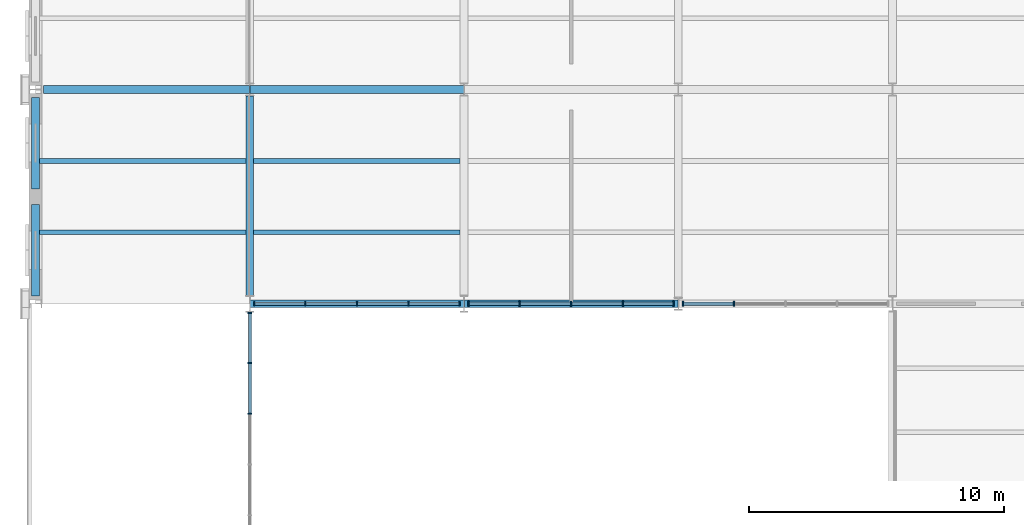
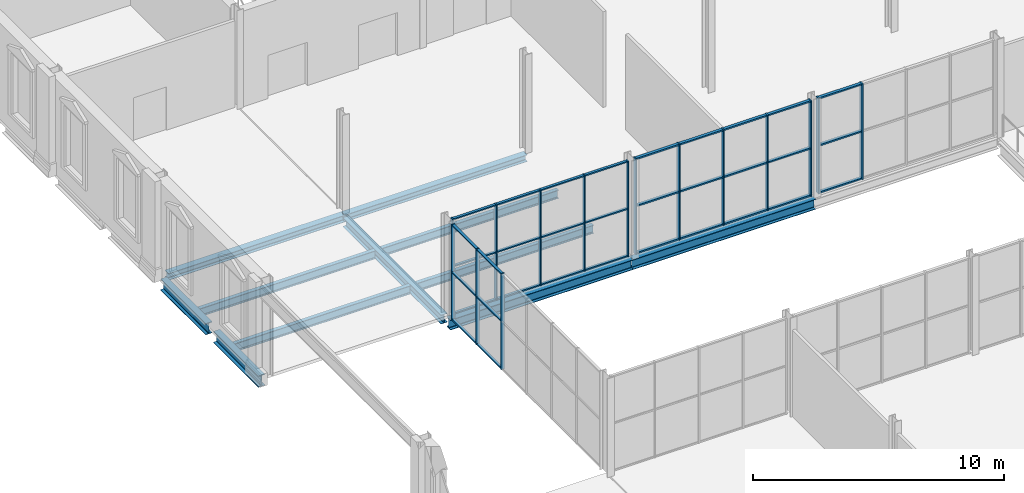
# One storey, part 15 of 61: 48 members, 11 beams, 4 elements without a shape of their own.
"""IFC4 building model written with IfcOpenShell, lengths in metres."""

from ifc_helpers import new_model, si_unit, direction, frame, origin, origin_2d, place, context, subcontext, project, spatial, rectangle, i_section, extrude, material, layer, layer_set, material_profile, profile_set, type_object, element, aggregate, save


model = new_model("IFC4")

# Units and contexts
model_context = context("Model", 3, precision=1e-05, world=origin(), true_north=direction((0.0, 1.0)))
body_context = subcontext(model_context, "Body", "Model", "MODEL_VIEW")
ifc_project = project(units=[si_unit("LENGTHUNIT", "METRE"), si_unit("AREAUNIT", "SQUARE_METRE"), si_unit("VOLUMEUNIT", "CUBIC_METRE"), si_unit("PLANEANGLEUNIT", "RADIAN"), si_unit("MASSUNIT", "GRAM", prefix="KILO")], contexts=[model_context])

# Site, building, storey
site_placement = place(None, origin())
site = spatial("IfcSite", under=ifc_project, at=site_placement, CompositionType="ELEMENT")
building_placement = place(site_placement, origin())
building = spatial("IfcBuilding", under=site, at=building_placement, Name="Galleria Vessillo Department Store", CompositionType="ELEMENT")
storey_placement = place(building_placement, frame((0.0, 0.0, 11.39990234375)))
storey = spatial("IfcBuildingStorey", under=building, at=storey_placement, Name="L02", CompositionType="ELEMENT", Elevation=11.39990234375)

# Curtain wall, members
ifc_material_1 = material(Name="Aluminium and glass curtain wall", Category="aluminium")
ifc_layer_1 = layer(ifc_material_1, 0.159912109375)
ifc_layer_set_1 = layer_set([ifc_layer_1], Name="Aluminium and glass curtain wall")
curtain_wall_type_1 = type_object("IfcCurtainWallType", Name="Arcade portal glazing CW2 2100 module", PredefinedType="NOTDEFINED", material=ifc_layer_set_1)
curtain_wall_1_placement = place(storey_placement, origin())
curtain_wall_1 = element("IfcCurtainWall", 1, at=curtain_wall_1_placement, inside=storey, type_object=curtain_wall_type_1, Name="Arcade portal glazing CW2 2100 module PW-W-N-L02-01", PredefinedType="NOTDEFINED")
ifc_material_2 = material(Name="Aluminium alloy 6063 T6", Category="aluminium")
ifc_material_profile_1 = material_profile(ifc_material_2, rectangle(XDim=0.159912109375, YDim=0.050048828125, at=origin_2d()), Name="AL 50x160")
ifc_profile_set_1 = profile_set([ifc_material_profile_1], Name="Aluminium alloy 6063 T6")
member_type_1 = type_object("IfcMemberType", Name="Aluminium mullion 50 x 160", PredefinedType="MULLION", material=ifc_profile_set_1)
member_1_placement = place(storey_placement, frame((8.577392578125, 37.800048828125, 0.0), z_axis=(0.0, 0.0, 1.0), x_axis=(0.0, 1.0, 0.0)))
member_1 = element("IfcMember", 2, at=member_1_placement, type_object=member_type_1, Name="CW2 mullion 1", PredefinedType="MULLION", context=body_context, shape_type="SweptSolid", body=[
    extrude(rectangle(XDim=0.159912109375, YDim=0.050048828125, at=origin_2d()), origin(), (0.0, 0.0, 1.0), 4.650146484375),
])
member_2_placement = place(storey_placement, frame((10.576171875, 37.800048828125, 0.0), z_axis=(0.0, 0.0, 1.0), x_axis=(0.0, 1.0, 0.0)))
member_2 = element("IfcMember", 3, at=member_2_placement, type_object=member_type_1, Name="CW2 mullion 2", PredefinedType="MULLION", context=body_context, shape_type="SweptSolid", body=[
    extrude(rectangle(XDim=0.159912109375, YDim=0.050048828125, at=origin_2d()), origin(), (0.0, 0.0, 1.0), 4.650146484375),
])
member_3_placement = place(storey_placement, frame((12.60009765625, 37.800048828125, 0.0), z_axis=(0.0, 0.0, 1.0), x_axis=(0.0, 1.0, 0.0)))
member_3 = element("IfcMember", 4, at=member_3_placement, type_object=member_type_1, Name="CW2 mullion 3", PredefinedType="MULLION", context=body_context, shape_type="SweptSolid", body=[
    extrude(rectangle(XDim=0.159912109375, YDim=0.050048828125, at=origin_2d()), origin(), (0.0, 0.0, 1.0), 4.650146484375),
])
member_4_placement = place(storey_placement, frame((14.623779296875, 37.800048828125, 0.0), z_axis=(0.0, 0.0, 1.0), x_axis=(0.0, 1.0, 0.0)))
member_4 = element("IfcMember", 5, at=member_4_placement, type_object=member_type_1, Name="CW2 mullion 4", PredefinedType="MULLION", context=body_context, shape_type="SweptSolid", body=[
    extrude(rectangle(XDim=0.159912109375, YDim=0.050048828125, at=origin_2d()), origin(), (0.0, 0.0, 1.0), 4.650146484375),
])
member_5_placement = place(storey_placement, frame((16.62255859375, 37.800048828125, 0.0), z_axis=(0.0, 0.0, 1.0), x_axis=(0.0, 1.0, 0.0)))
member_5 = element("IfcMember", 6, at=member_5_placement, type_object=member_type_1, Name="CW2 mullion 5", PredefinedType="MULLION", context=body_context, shape_type="SweptSolid", body=[
    extrude(rectangle(XDim=0.159912109375, YDim=0.050048828125, at=origin_2d()), origin(), (0.0, 0.0, 1.0), 4.650146484375),
])

curtain_wall_2_placement = place(storey_placement, origin())
curtain_wall_2 = element("IfcCurtainWall", 7, at=curtain_wall_2_placement, inside=storey, type_object=curtain_wall_type_1, Name="Arcade portal glazing CW2 2100 module SCR-W-L02-01", PredefinedType="NOTDEFINED")
member_6_placement = place(storey_placement, frame((8.39990234375, 33.48876953125, 0.0), z_axis=(0.0, 0.0, 1.0), x_axis=(-1.0, 0.0, 0.0)))
member_6 = element("IfcMember", 8, at=member_6_placement, type_object=member_type_1, Name="CW2 mullion 5", PredefinedType="MULLION", context=body_context, shape_type="SweptSolid", body=[
    extrude(rectangle(XDim=0.159912109375, YDim=0.050048828125, at=origin_2d()), origin(), (0.0, 0.0, 1.0), 4.650146484375),
])
member_7_placement = place(storey_placement, frame((8.39990234375, 35.477294921875, 0.0), z_axis=(0.0, 0.0, 1.0), x_axis=(-1.0, 0.0, 0.0)))
member_7 = element("IfcMember", 9, at=member_7_placement, type_object=member_type_1, Name="CW2 mullion 6", PredefinedType="MULLION", context=body_context, shape_type="SweptSolid", body=[
    extrude(rectangle(XDim=0.159912109375, YDim=0.050048828125, at=origin_2d()), origin(), (0.0, 0.0, 1.0), 4.650146484375),
])
member_8_placement = place(storey_placement, frame((8.39990234375, 37.441162109375, 0.0), z_axis=(0.0, 0.0, 1.0), x_axis=(-1.0, 0.0, 0.0)))
member_8 = element("IfcMember", 10, at=member_8_placement, type_object=member_type_1, Name="CW2 mullion 7", PredefinedType="MULLION", context=body_context, shape_type="SweptSolid", body=[
    extrude(rectangle(XDim=0.159912109375, YDim=0.050048828125, at=origin_2d()), origin(), (0.0, 0.0, 1.0), 4.650146484375),
])

ifc_material_3 = material(Name="Aluminium and glass curtain wall", Category="aluminium")
ifc_layer_2 = layer(ifc_material_3, 0.199951171875)
ifc_layer_set_2 = layer_set([ifc_layer_2], Name="Aluminium and glass curtain wall")
curtain_wall_type_2 = type_object("IfcCurtainWallType", Name="Arcade curtain wall CW1 2100 module", PredefinedType="NOTDEFINED", material=ifc_layer_set_2)
curtain_wall_3_placement = place(storey_placement, origin())
curtain_wall_3 = element("IfcCurtainWall", 11, at=curtain_wall_3_placement, inside=storey, type_object=curtain_wall_type_2, Name="Arcade curtain wall CW1 2100 module AI-AW-N-L02-01", PredefinedType="NOTDEFINED")
ifc_material_4 = material(Name="Aluminium alloy 6063 T6", Category="aluminium")
ifc_material_profile_2 = material_profile(ifc_material_4, rectangle(XDim=0.199951171875, YDim=0.06005859375, at=origin_2d()), Name="AL 60x200")
ifc_profile_set_2 = profile_set([ifc_material_profile_2], Name="Aluminium alloy 6063 T6")
member_type_2 = type_object("IfcMemberType", Name="Aluminium mullion 60 x 200", PredefinedType="MULLION", material=ifc_profile_set_2)
member_9_placement = place(storey_placement, frame((16.982666015625, 37.800048828125, 0.0), z_axis=(0.0, 0.0, 1.0), x_axis=(0.0, 1.0, 0.0)))
member_9 = element("IfcMember", 12, at=member_9_placement, type_object=member_type_2, Name="CW1 mullion 1", PredefinedType="MULLION", context=body_context, shape_type="SweptSolid", body=[
    extrude(rectangle(XDim=0.199951171875, YDim=0.06005859375, at=origin_2d()), origin(), (0.0, 0.0, 1.0), 4.650146484375),
])
member_10_placement = place(storey_placement, frame((18.97607421875, 37.800048828125, 0.0), z_axis=(0.0, 0.0, 1.0), x_axis=(0.0, 1.0, 0.0)))
member_10 = element("IfcMember", 13, at=member_10_placement, type_object=member_type_2, Name="CW1 mullion 2", PredefinedType="MULLION", context=body_context, shape_type="SweptSolid", body=[
    extrude(rectangle(XDim=0.199951171875, YDim=0.06005859375, at=origin_2d()), origin(), (0.0, 0.0, 1.0), 4.650146484375),
])
member_11_placement = place(storey_placement, frame((20.999755859375, 37.800048828125, 0.0), z_axis=(0.0, 0.0, 1.0), x_axis=(0.0, 1.0, 0.0)))
member_11 = element("IfcMember", 14, at=member_11_placement, type_object=member_type_2, Name="CW1 mullion 3", PredefinedType="MULLION", context=body_context, shape_type="SweptSolid", body=[
    extrude(rectangle(XDim=0.199951171875, YDim=0.06005859375, at=origin_2d()), origin(), (0.0, 0.0, 1.0), 4.650146484375),
])
member_12_placement = place(storey_placement, frame((23.0234375, 37.800048828125, 0.0), z_axis=(0.0, 0.0, 1.0), x_axis=(0.0, 1.0, 0.0)))
member_12 = element("IfcMember", 15, at=member_12_placement, type_object=member_type_2, Name="CW1 mullion 4", PredefinedType="MULLION", context=body_context, shape_type="SweptSolid", body=[
    extrude(rectangle(XDim=0.199951171875, YDim=0.06005859375, at=origin_2d()), origin(), (0.0, 0.0, 1.0), 4.650146484375),
])
member_13_placement = place(storey_placement, frame((25.016845703125, 37.800048828125, 0.0), z_axis=(0.0, 0.0, 1.0), x_axis=(0.0, 1.0, 0.0)))
member_13 = element("IfcMember", 16, at=member_13_placement, type_object=member_type_2, Name="CW1 mullion 5", PredefinedType="MULLION", context=body_context, shape_type="SweptSolid", body=[
    extrude(rectangle(XDim=0.199951171875, YDim=0.06005859375, at=origin_2d()), origin(), (0.0, 0.0, 1.0), 4.650146484375),
])

curtain_wall_4_placement = place(storey_placement, origin())
curtain_wall_4 = element("IfcCurtainWall", 17, at=curtain_wall_4_placement, inside=storey, type_object=curtain_wall_type_2, Name="Arcade curtain wall CW1 2100 module AI-AW-N-L02-02", PredefinedType="NOTDEFINED")
member_14_placement = place(storey_placement, frame((25.383056640625, 37.800048828125, 0.0), z_axis=(0.0, 0.0, 1.0), x_axis=(0.0, 1.0, 0.0)))
member_14 = element("IfcMember", 18, at=member_14_placement, type_object=member_type_2, Name="CW1 mullion 1", PredefinedType="MULLION", context=body_context, shape_type="SweptSolid", body=[
    extrude(rectangle(XDim=0.199951171875, YDim=0.06005859375, at=origin_2d()), origin(), (0.0, 0.0, 1.0), 4.650146484375),
])
member_15_placement = place(storey_placement, frame((27.376708984375, 37.800048828125, 0.0), z_axis=(0.0, 0.0, 1.0), x_axis=(0.0, 1.0, 0.0)))
member_15 = element("IfcMember", 19, at=member_15_placement, type_object=member_type_2, Name="CW1 mullion 2", PredefinedType="MULLION", context=body_context, shape_type="SweptSolid", body=[
    extrude(rectangle(XDim=0.199951171875, YDim=0.06005859375, at=origin_2d()), origin(), (0.0, 0.0, 1.0), 4.650146484375),
])

# Member
ifc_material_5 = material(Name="Aluminium alloy 6063 T6", Category="aluminium")
ifc_material_profile_3 = material_profile(ifc_material_5, rectangle(XDim=0.1201171875, YDim=0.06005859375, at=origin_2d()), Name="AL 60x120")
ifc_profile_set_3 = profile_set([ifc_material_profile_3], Name="Aluminium alloy 6063 T6")
member_type_3 = type_object("IfcMemberType", Name="Aluminium transom 60 x 120", PredefinedType="USERDEFINED", material=ifc_profile_set_3)
member_16_placement = place(storey_placement, frame((8.6025390625, 37.800048828125, 0.030029296875), z_axis=(1.0, 0.0, 0.0), x_axis=(0.0, 1.0, 0.0)))
member_16 = element("IfcMember", 20, at=member_16_placement, type_object=member_type_3, Name="CW2 transom 1.1", ObjectType="TRANSOM", PredefinedType="USERDEFINED", context=body_context, shape_type="SweptSolid", body=[
    extrude(rectangle(XDim=0.1201171875, YDim=0.06005859375, at=origin_2d()), origin(), (0.0, 0.0, 1.0), 1.94873046875),
])

member_17_placement = place(storey_placement, frame((8.6025390625, 37.800048828125, 2.3251953125), z_axis=(1.0, 0.0, 0.0), x_axis=(0.0, 1.0, 0.0)))
member_17 = element("IfcMember", 21, at=member_17_placement, type_object=member_type_3, Name="CW2 transom 1.2", ObjectType="TRANSOM", PredefinedType="USERDEFINED", context=body_context, shape_type="SweptSolid", body=[
    extrude(rectangle(XDim=0.1201171875, YDim=0.06005859375, at=origin_2d()), origin(), (0.0, 0.0, 1.0), 1.94873046875),
])

member_18_placement = place(storey_placement, frame((8.6025390625, 37.800048828125, 4.6201171875), z_axis=(1.0, 0.0, 0.0), x_axis=(0.0, 1.0, 0.0)))
member_18 = element("IfcMember", 22, at=member_18_placement, type_object=member_type_3, Name="CW2 transom 1.3", ObjectType="TRANSOM", PredefinedType="USERDEFINED", context=body_context, shape_type="SweptSolid", body=[
    extrude(rectangle(XDim=0.1201171875, YDim=0.06005859375, at=origin_2d()), origin(), (0.0, 0.0, 1.0), 1.94873046875),
])

member_19_placement = place(storey_placement, frame((10.601318359375, 37.800048828125, 0.030029296875), z_axis=(1.0, 0.0, 0.0), x_axis=(0.0, 1.0, 0.0)))
member_19 = element("IfcMember", 23, at=member_19_placement, type_object=member_type_3, Name="CW2 transom 2.1", ObjectType="TRANSOM", PredefinedType="USERDEFINED", context=body_context, shape_type="SweptSolid", body=[
    extrude(rectangle(XDim=0.1201171875, YDim=0.06005859375, at=origin_2d()), origin(), (0.0, 0.0, 1.0), 1.9736328125),
])

member_20_placement = place(storey_placement, frame((10.601318359375, 37.800048828125, 2.3251953125), z_axis=(1.0, 0.0, 0.0), x_axis=(0.0, 1.0, 0.0)))
member_20 = element("IfcMember", 24, at=member_20_placement, type_object=member_type_3, Name="CW2 transom 2.2", ObjectType="TRANSOM", PredefinedType="USERDEFINED", context=body_context, shape_type="SweptSolid", body=[
    extrude(rectangle(XDim=0.1201171875, YDim=0.06005859375, at=origin_2d()), origin(), (0.0, 0.0, 1.0), 1.9736328125),
])

member_21_placement = place(storey_placement, frame((10.601318359375, 37.800048828125, 4.6201171875), z_axis=(1.0, 0.0, 0.0), x_axis=(0.0, 1.0, 0.0)))
member_21 = element("IfcMember", 25, at=member_21_placement, type_object=member_type_3, Name="CW2 transom 2.3", ObjectType="TRANSOM", PredefinedType="USERDEFINED", context=body_context, shape_type="SweptSolid", body=[
    extrude(rectangle(XDim=0.1201171875, YDim=0.06005859375, at=origin_2d()), origin(), (0.0, 0.0, 1.0), 1.9736328125),
])

member_22_placement = place(storey_placement, frame((12.625, 37.800048828125, 0.030029296875), z_axis=(1.0, 0.0, 0.0), x_axis=(0.0, 1.0, 0.0)))
member_22 = element("IfcMember", 26, at=member_22_placement, type_object=member_type_3, Name="CW2 transom 3.1", ObjectType="TRANSOM", PredefinedType="USERDEFINED", context=body_context, shape_type="SweptSolid", body=[
    extrude(rectangle(XDim=0.1201171875, YDim=0.06005859375, at=origin_2d()), origin(), (0.0, 0.0, 1.0), 1.9736328125),
])

member_23_placement = place(storey_placement, frame((12.625, 37.800048828125, 2.3251953125), z_axis=(1.0, 0.0, 0.0), x_axis=(0.0, 1.0, 0.0)))
member_23 = element("IfcMember", 27, at=member_23_placement, type_object=member_type_3, Name="CW2 transom 3.2", ObjectType="TRANSOM", PredefinedType="USERDEFINED", context=body_context, shape_type="SweptSolid", body=[
    extrude(rectangle(XDim=0.1201171875, YDim=0.06005859375, at=origin_2d()), origin(), (0.0, 0.0, 1.0), 1.9736328125),
])

member_24_placement = place(storey_placement, frame((12.625, 37.800048828125, 4.6201171875), z_axis=(1.0, 0.0, 0.0), x_axis=(0.0, 1.0, 0.0)))
member_24 = element("IfcMember", 28, at=member_24_placement, type_object=member_type_3, Name="CW2 transom 3.3", ObjectType="TRANSOM", PredefinedType="USERDEFINED", context=body_context, shape_type="SweptSolid", body=[
    extrude(rectangle(XDim=0.1201171875, YDim=0.06005859375, at=origin_2d()), origin(), (0.0, 0.0, 1.0), 1.9736328125),
])

member_25_placement = place(storey_placement, frame((14.648681640625, 37.800048828125, 0.030029296875), z_axis=(1.0, 0.0, 0.0), x_axis=(0.0, 1.0, 0.0)))
member_25 = element("IfcMember", 29, at=member_25_placement, type_object=member_type_3, Name="CW2 transom 4.1", ObjectType="TRANSOM", PredefinedType="USERDEFINED", context=body_context, shape_type="SweptSolid", body=[
    extrude(rectangle(XDim=0.1201171875, YDim=0.06005859375, at=origin_2d()), origin(), (0.0, 0.0, 1.0), 1.94873046875),
])

member_26_placement = place(storey_placement, frame((14.648681640625, 37.800048828125, 2.3251953125), z_axis=(1.0, 0.0, 0.0), x_axis=(0.0, 1.0, 0.0)))
member_26 = element("IfcMember", 30, at=member_26_placement, type_object=member_type_3, Name="CW2 transom 4.2", ObjectType="TRANSOM", PredefinedType="USERDEFINED", context=body_context, shape_type="SweptSolid", body=[
    extrude(rectangle(XDim=0.1201171875, YDim=0.06005859375, at=origin_2d()), origin(), (0.0, 0.0, 1.0), 1.94873046875),
])

member_27_placement = place(storey_placement, frame((14.648681640625, 37.800048828125, 4.6201171875), z_axis=(1.0, 0.0, 0.0), x_axis=(0.0, 1.0, 0.0)))
member_27 = element("IfcMember", 31, at=member_27_placement, type_object=member_type_3, Name="CW2 transom 4.3", ObjectType="TRANSOM", PredefinedType="USERDEFINED", context=body_context, shape_type="SweptSolid", body=[
    extrude(rectangle(XDim=0.1201171875, YDim=0.06005859375, at=origin_2d()), origin(), (0.0, 0.0, 1.0), 1.94873046875),
])

aggregate(curtain_wall_1, [member_1, member_2, member_3, member_4, member_5, member_16, member_17, member_18, member_19, member_20, member_21, member_22, member_23, member_24, member_25, member_26, member_27])

member_28_placement = place(storey_placement, frame((8.39990234375, 33.513671875, 0.030029296875), z_axis=(0.0, 1.0, 0.0), x_axis=(-1.0, 0.0, 0.0)))
member_28 = element("IfcMember", 32, at=member_28_placement, type_object=member_type_3, Name="CW2 transom 5.1", ObjectType="TRANSOM", PredefinedType="USERDEFINED", context=body_context, shape_type="SweptSolid", body=[
    extrude(rectangle(XDim=0.1201171875, YDim=0.06005859375, at=origin_2d()), origin(), (0.0, 0.0, 1.0), 1.938720703125),
])

member_29_placement = place(storey_placement, frame((8.39990234375, 33.513671875, 2.3251953125), z_axis=(0.0, 1.0, 0.0), x_axis=(-1.0, 0.0, 0.0)))
member_29 = element("IfcMember", 33, at=member_29_placement, type_object=member_type_3, Name="CW2 transom 5.2", ObjectType="TRANSOM", PredefinedType="USERDEFINED", context=body_context, shape_type="SweptSolid", body=[
    extrude(rectangle(XDim=0.1201171875, YDim=0.06005859375, at=origin_2d()), origin(), (0.0, 0.0, 1.0), 1.938720703125),
])

member_30_placement = place(storey_placement, frame((8.39990234375, 33.513671875, 4.6201171875), z_axis=(0.0, 1.0, 0.0), x_axis=(-1.0, 0.0, 0.0)))
member_30 = element("IfcMember", 34, at=member_30_placement, type_object=member_type_3, Name="CW2 transom 5.3", ObjectType="TRANSOM", PredefinedType="USERDEFINED", context=body_context, shape_type="SweptSolid", body=[
    extrude(rectangle(XDim=0.1201171875, YDim=0.06005859375, at=origin_2d()), origin(), (0.0, 0.0, 1.0), 1.938720703125),
])

member_31_placement = place(storey_placement, frame((8.39990234375, 35.50244140625, 0.030029296875), z_axis=(0.0, 1.0, 0.0), x_axis=(-1.0, 0.0, 0.0)))
member_31 = element("IfcMember", 35, at=member_31_placement, type_object=member_type_3, Name="CW2 transom 6.1", ObjectType="TRANSOM", PredefinedType="USERDEFINED", context=body_context, shape_type="SweptSolid", body=[
    extrude(rectangle(XDim=0.1201171875, YDim=0.06005859375, at=origin_2d()), origin(), (0.0, 0.0, 1.0), 1.91357421875),
])

member_32_placement = place(storey_placement, frame((8.39990234375, 35.50244140625, 2.3251953125), z_axis=(0.0, 1.0, 0.0), x_axis=(-1.0, 0.0, 0.0)))
member_32 = element("IfcMember", 36, at=member_32_placement, type_object=member_type_3, Name="CW2 transom 6.2", ObjectType="TRANSOM", PredefinedType="USERDEFINED", context=body_context, shape_type="SweptSolid", body=[
    extrude(rectangle(XDim=0.1201171875, YDim=0.06005859375, at=origin_2d()), origin(), (0.0, 0.0, 1.0), 1.91357421875),
])

member_33_placement = place(storey_placement, frame((8.39990234375, 35.50244140625, 4.6201171875), z_axis=(0.0, 1.0, 0.0), x_axis=(-1.0, 0.0, 0.0)))
member_33 = element("IfcMember", 37, at=member_33_placement, type_object=member_type_3, Name="CW2 transom 6.3", ObjectType="TRANSOM", PredefinedType="USERDEFINED", context=body_context, shape_type="SweptSolid", body=[
    extrude(rectangle(XDim=0.1201171875, YDim=0.06005859375, at=origin_2d()), origin(), (0.0, 0.0, 1.0), 1.91357421875),
])

aggregate(curtain_wall_2, [member_6, member_7, member_8, member_28, member_29, member_30, member_31, member_32, member_33])

ifc_material_6 = material(Name="Aluminium alloy 6063 T6", Category="aluminium")
ifc_material_profile_4 = material_profile(ifc_material_6, rectangle(XDim=0.139892578125, YDim=0.070068359375, at=origin_2d()), Name="AL 70x140")
ifc_profile_set_4 = profile_set([ifc_material_profile_4], Name="Aluminium alloy 6063 T6")
member_type_4 = type_object("IfcMemberType", Name="Aluminium transom 70 x 140", PredefinedType="USERDEFINED", material=ifc_profile_set_4)
member_34_placement = place(storey_placement, frame((17.0126953125, 37.800048828125, 0.034912109375), z_axis=(1.0, 0.0, 0.0), x_axis=(0.0, 1.0, 0.0)))
member_34 = element("IfcMember", 38, at=member_34_placement, type_object=member_type_4, Name="CW1 transom 1.1", ObjectType="TRANSOM", PredefinedType="USERDEFINED", context=body_context, shape_type="SweptSolid", body=[
    extrude(rectangle(XDim=0.139892578125, YDim=0.070068359375, at=origin_2d()), origin(), (0.0, 0.0, 1.0), 1.93359375),
])

member_35_placement = place(storey_placement, frame((17.0126953125, 37.800048828125, 2.3251953125), z_axis=(1.0, 0.0, 0.0), x_axis=(0.0, 1.0, 0.0)))
member_35 = element("IfcMember", 39, at=member_35_placement, type_object=member_type_4, Name="CW1 transom 1.2", ObjectType="TRANSOM", PredefinedType="USERDEFINED", context=body_context, shape_type="SweptSolid", body=[
    extrude(rectangle(XDim=0.139892578125, YDim=0.070068359375, at=origin_2d()), origin(), (0.0, 0.0, 1.0), 1.93359375),
])

member_36_placement = place(storey_placement, frame((17.0126953125, 37.800048828125, 4.615234375), z_axis=(1.0, 0.0, 0.0), x_axis=(0.0, 1.0, 0.0)))
member_36 = element("IfcMember", 40, at=member_36_placement, type_object=member_type_4, Name="CW1 transom 1.3", ObjectType="TRANSOM", PredefinedType="USERDEFINED", context=body_context, shape_type="SweptSolid", body=[
    extrude(rectangle(XDim=0.139892578125, YDim=0.070068359375, at=origin_2d()), origin(), (0.0, 0.0, 1.0), 1.93359375),
])

member_37_placement = place(storey_placement, frame((19.006103515625, 37.800048828125, 0.034912109375), z_axis=(1.0, 0.0, 0.0), x_axis=(0.0, 1.0, 0.0)))
member_37 = element("IfcMember", 41, at=member_37_placement, type_object=member_type_4, Name="CW1 transom 2.1", ObjectType="TRANSOM", PredefinedType="USERDEFINED", context=body_context, shape_type="SweptSolid", body=[
    extrude(rectangle(XDim=0.139892578125, YDim=0.070068359375, at=origin_2d()), origin(), (0.0, 0.0, 1.0), 1.963623046875),
])

member_38_placement = place(storey_placement, frame((19.006103515625, 37.800048828125, 2.3251953125), z_axis=(1.0, 0.0, 0.0), x_axis=(0.0, 1.0, 0.0)))
member_38 = element("IfcMember", 42, at=member_38_placement, type_object=member_type_4, Name="CW1 transom 2.2", ObjectType="TRANSOM", PredefinedType="USERDEFINED", context=body_context, shape_type="SweptSolid", body=[
    extrude(rectangle(XDim=0.139892578125, YDim=0.070068359375, at=origin_2d()), origin(), (0.0, 0.0, 1.0), 1.963623046875),
])

member_39_placement = place(storey_placement, frame((19.006103515625, 37.800048828125, 4.615234375), z_axis=(1.0, 0.0, 0.0), x_axis=(0.0, 1.0, 0.0)))
member_39 = element("IfcMember", 43, at=member_39_placement, type_object=member_type_4, Name="CW1 transom 2.3", ObjectType="TRANSOM", PredefinedType="USERDEFINED", context=body_context, shape_type="SweptSolid", body=[
    extrude(rectangle(XDim=0.139892578125, YDim=0.070068359375, at=origin_2d()), origin(), (0.0, 0.0, 1.0), 1.963623046875),
])

member_40_placement = place(storey_placement, frame((21.02978515625, 37.800048828125, 0.034912109375), z_axis=(1.0, 0.0, 0.0), x_axis=(0.0, 1.0, 0.0)))
member_40 = element("IfcMember", 44, at=member_40_placement, type_object=member_type_4, Name="CW1 transom 3.1", ObjectType="TRANSOM", PredefinedType="USERDEFINED", context=body_context, shape_type="SweptSolid", body=[
    extrude(rectangle(XDim=0.139892578125, YDim=0.070068359375, at=origin_2d()), origin(), (0.0, 0.0, 1.0), 1.963623046875),
])

member_41_placement = place(storey_placement, frame((21.02978515625, 37.800048828125, 2.3251953125), z_axis=(1.0, 0.0, 0.0), x_axis=(0.0, 1.0, 0.0)))
member_41 = element("IfcMember", 45, at=member_41_placement, type_object=member_type_4, Name="CW1 transom 3.2", ObjectType="TRANSOM", PredefinedType="USERDEFINED", context=body_context, shape_type="SweptSolid", body=[
    extrude(rectangle(XDim=0.139892578125, YDim=0.070068359375, at=origin_2d()), origin(), (0.0, 0.0, 1.0), 1.963623046875),
])

member_42_placement = place(storey_placement, frame((21.02978515625, 37.800048828125, 4.615234375), z_axis=(1.0, 0.0, 0.0), x_axis=(0.0, 1.0, 0.0)))
member_42 = element("IfcMember", 46, at=member_42_placement, type_object=member_type_4, Name="CW1 transom 3.3", ObjectType="TRANSOM", PredefinedType="USERDEFINED", context=body_context, shape_type="SweptSolid", body=[
    extrude(rectangle(XDim=0.139892578125, YDim=0.070068359375, at=origin_2d()), origin(), (0.0, 0.0, 1.0), 1.963623046875),
])

member_43_placement = place(storey_placement, frame((23.05322265625, 37.800048828125, 0.034912109375), z_axis=(1.0, 0.0, 0.0), x_axis=(0.0, 1.0, 0.0)))
member_43 = element("IfcMember", 47, at=member_43_placement, type_object=member_type_4, Name="CW1 transom 4.1", ObjectType="TRANSOM", PredefinedType="USERDEFINED", context=body_context, shape_type="SweptSolid", body=[
    extrude(rectangle(XDim=0.139892578125, YDim=0.070068359375, at=origin_2d()), origin(), (0.0, 0.0, 1.0), 1.93359375),
])

member_44_placement = place(storey_placement, frame((23.05322265625, 37.800048828125, 2.3251953125), z_axis=(1.0, 0.0, 0.0), x_axis=(0.0, 1.0, 0.0)))
member_44 = element("IfcMember", 48, at=member_44_placement, type_object=member_type_4, Name="CW1 transom 4.2", ObjectType="TRANSOM", PredefinedType="USERDEFINED", context=body_context, shape_type="SweptSolid", body=[
    extrude(rectangle(XDim=0.139892578125, YDim=0.070068359375, at=origin_2d()), origin(), (0.0, 0.0, 1.0), 1.93359375),
])

member_45_placement = place(storey_placement, frame((23.05322265625, 37.800048828125, 4.615234375), z_axis=(1.0, 0.0, 0.0), x_axis=(0.0, 1.0, 0.0)))
member_45 = element("IfcMember", 49, at=member_45_placement, type_object=member_type_4, Name="CW1 transom 4.3", ObjectType="TRANSOM", PredefinedType="USERDEFINED", context=body_context, shape_type="SweptSolid", body=[
    extrude(rectangle(XDim=0.139892578125, YDim=0.070068359375, at=origin_2d()), origin(), (0.0, 0.0, 1.0), 1.93359375),
])

aggregate(curtain_wall_3, [member_9, member_10, member_11, member_12, member_13, member_34, member_35, member_36, member_37, member_38, member_39, member_40, member_41, member_42, member_43, member_44, member_45])

member_46_placement = place(storey_placement, frame((25.4130859375, 37.800048828125, 0.034912109375), z_axis=(1.0, 0.0, 0.0), x_axis=(0.0, 1.0, 0.0)))
member_46 = element("IfcMember", 50, at=member_46_placement, type_object=member_type_4, Name="CW1 transom 1.1", ObjectType="TRANSOM", PredefinedType="USERDEFINED", context=body_context, shape_type="SweptSolid", body=[
    extrude(rectangle(XDim=0.139892578125, YDim=0.070068359375, at=origin_2d()), origin(), (0.0, 0.0, 1.0), 1.93359375),
])

member_47_placement = place(storey_placement, frame((25.4130859375, 37.800048828125, 2.3251953125), z_axis=(1.0, 0.0, 0.0), x_axis=(0.0, 1.0, 0.0)))
member_47 = element("IfcMember", 51, at=member_47_placement, type_object=member_type_4, Name="CW1 transom 1.2", ObjectType="TRANSOM", PredefinedType="USERDEFINED", context=body_context, shape_type="SweptSolid", body=[
    extrude(rectangle(XDim=0.139892578125, YDim=0.070068359375, at=origin_2d()), origin(), (0.0, 0.0, 1.0), 1.93359375),
])

member_48_placement = place(storey_placement, frame((25.4130859375, 37.800048828125, 4.615234375), z_axis=(1.0, 0.0, 0.0), x_axis=(0.0, 1.0, 0.0)))
member_48 = element("IfcMember", 52, at=member_48_placement, type_object=member_type_4, Name="CW1 transom 1.3", ObjectType="TRANSOM", PredefinedType="USERDEFINED", context=body_context, shape_type="SweptSolid", body=[
    extrude(rectangle(XDim=0.139892578125, YDim=0.070068359375, at=origin_2d()), origin(), (0.0, 0.0, 1.0), 1.93359375),
])

aggregate(curtain_wall_4, [member_14, member_15, member_46, member_47, member_48])

# Beams
ifc_material_7 = material(Name="Steel S355 J2", Category="steel")
ifc_material_profile_5 = material_profile(ifc_material_7, i_section(OverallWidth=0.300048828125, OverallDepth=0.43994140625, WebThickness=0.011474609375, FlangeThickness=0.02099609375, FilletRadius=0.027099609375, at=origin_2d()), Name="HEA 450")
ifc_profile_set_5 = profile_set([ifc_material_profile_5], Name="Steel S355 J2")
beam_type_1 = type_object("IfcBeamType", Name="Floor girder HEA 450", PredefinedType="BEAM", material=ifc_profile_set_5)
beam_1_placement = place(storey_placement, frame((8.39990234375, 38.134033203125, -0.369873046875), z_axis=(0.0, 1.0, 0.0), x_axis=(-1.0, 0.0, 0.0)))
element("IfcBeam", 53, at=beam_1_placement, inside=storey, type_object=beam_type_1, Name="S-BM-L02-GI-y8400-38134", PredefinedType="BEAM", context=body_context, shape_type="SweptSolid", body=[
    extrude(i_section(OverallWidth=0.300048828125, OverallDepth=0.43994140625, WebThickness=0.011474609375, FlangeThickness=0.02099609375, FilletRadius=0.027099609375, at=origin_2d()), origin(), (0.0, 0.0, 1.0), 7.81591796875),
])
ifc_material_8 = material(Name="Steel S355 J2", Category="steel")
ifc_material_profile_6 = material_profile(ifc_material_8, i_section(OverallWidth=0.179931640625, OverallDepth=0.39990234375, WebThickness=0.008544921875, FlangeThickness=0.013427734375, FilletRadius=0.02099609375, at=origin_2d()), Name="IPE 400")
ifc_profile_set_6 = profile_set([ifc_material_profile_6], Name="Steel S355 J2")
beam_type_2 = type_object("IfcBeamType", Name="Floor joist IPE 400", PredefinedType="JOIST", material=ifc_profile_set_6)
for number, where, z_axis, x_axis, name in (
    (54, (0.150146484375, 40.60009765625, -0.349853515625), (1.0, 0.0, 0.0), (0.0, 1.0, 0.0), "S-BM-L02-JO-x40600-150"),
    (55, (0.150146484375, 43.39990234375, -0.349853515625), (1.0, 0.0, 0.0), (0.0, 1.0, 0.0), "S-BM-L02-JO-x43400-150"),
):
    element("IfcBeam", number, at=place(storey_placement, frame(where, z_axis=z_axis, x_axis=x_axis)), inside=storey, type_object=beam_type_2, Name=name, PredefinedType="JOIST", context=body_context, shape_type="SweptSolid", body=[
        extrude(i_section(OverallWidth=0.179931640625, OverallDepth=0.39990234375, WebThickness=0.008544921875, FlangeThickness=0.013427734375, FilletRadius=0.02099609375, at=origin_2d()), origin(), (0.0, 0.0, 1.0), 8.099609375),
    ])
for number, where, z_axis, x_axis, name in (
    (56, (8.550048828125, 40.60009765625, -0.349853515625), (1.0, 0.0, 0.0), (0.0, 1.0, 0.0), "S-BM-L02-JO-x40600-8550"),
    (57, (8.550048828125, 43.39990234375, -0.349853515625), (1.0, 0.0, 0.0), (0.0, 1.0, 0.0), "S-BM-L02-JO-x43400-8550"),
):
    element("IfcBeam", number, at=place(storey_placement, frame(where, z_axis=z_axis, x_axis=x_axis)), inside=storey, type_object=beam_type_2, Name=name, PredefinedType="JOIST", context=body_context, shape_type="SweptSolid", body=[
        extrude(i_section(OverallWidth=0.179931640625, OverallDepth=0.39990234375, WebThickness=0.008544921875, FlangeThickness=0.013427734375, FilletRadius=0.02099609375, at=origin_2d()), origin(), (0.0, 0.0, 1.0), 8.099853515625),
    ])
ifc_material_9 = material(Name="Steel S355 J2", Category="steel")
ifc_material_profile_7 = material_profile(ifc_material_9, i_section(OverallWidth=0.300048828125, OverallDepth=0.330078125, WebThickness=0.009521484375, FlangeThickness=0.0166015625, FilletRadius=0.027099609375, at=origin_2d()), Name="HEA 340")
ifc_profile_set_7 = profile_set([ifc_material_profile_7], Name="Steel S355 J2")
beam_type_3 = type_object("IfcBeamType", Name="Floor tie girder HEA 340", PredefinedType="BEAM", material=ifc_profile_set_7)
beam_2_placement = place(storey_placement, frame((0.30517578125, 46.199951171875, -0.31494140625), z_axis=(1.0, 0.0, 0.0), x_axis=(0.0, 1.0, 0.0)))
element("IfcBeam", 58, at=beam_2_placement, inside=storey, type_object=beam_type_3, Name="S-BM-L02-TI-x46200-305", PredefinedType="BEAM", context=body_context, shape_type="SweptSolid", body=[
    extrude(i_section(OverallWidth=0.300048828125, OverallDepth=0.330078125, WebThickness=0.009521484375, FlangeThickness=0.0166015625, FilletRadius=0.027099609375, at=origin_2d()), origin(), (0.0, 0.0, 1.0), 8.08740234375),
])
beam_3_placement = place(storey_placement, frame((8.407470703125, 46.199951171875, -0.31494140625), z_axis=(1.0, 0.0, 0.0), x_axis=(0.0, 1.0, 0.0)))
element("IfcBeam", 59, at=beam_3_placement, inside=storey, type_object=beam_type_3, Name="S-BM-L02-TI-x46200-8407", PredefinedType="BEAM", context=body_context, shape_type="SweptSolid", body=[
    extrude(i_section(OverallWidth=0.300048828125, OverallDepth=0.330078125, WebThickness=0.009521484375, FlangeThickness=0.0166015625, FilletRadius=0.027099609375, at=origin_2d()), origin(), (0.0, 0.0, 1.0), 8.38525390625),
])
ifc_material_10 = material(Name="Steel S355 J2", Category="steel")
ifc_material_profile_8 = material_profile(ifc_material_10, i_section(OverallWidth=0.300048828125, OverallDepth=0.550048828125, WebThickness=0.014892578125, FlangeThickness=0.029052734375, FilletRadius=0.027099609375, at=origin_2d()), Name="HEB 550")
ifc_profile_set_8 = profile_set([ifc_material_profile_8], Name="Steel S355 J2")
beam_type_4 = type_object("IfcBeamType", Name="Spandrel beam HEB 550", PredefinedType="SPANDREL", material=ifc_profile_set_8)
for number, where, z_axis, x_axis, name in (
    (60, (0.0, 38.105224609375, -0.4248046875), (0.0, 1.0, 0.0), (-1.0, 0.0, 0.0), "S-BM-L02-SP-y0-38105"),
    (61, (0.0, 42.30517578125, -0.4248046875), (0.0, 1.0, 0.0), (-1.0, 0.0, 0.0), "S-BM-L02-SP-y0-42305"),
):
    element("IfcBeam", number, at=place(storey_placement, frame(where, z_axis=z_axis, x_axis=x_axis)), inside=storey, type_object=beam_type_4, Name=name, PredefinedType="SPANDREL", context=body_context, shape_type="SweptSolid", body=[
        extrude(i_section(OverallWidth=0.300048828125, OverallDepth=0.550048828125, WebThickness=0.014892578125, FlangeThickness=0.029052734375, FilletRadius=0.027099609375, at=origin_2d()), origin(), (0.0, 0.0, 1.0), 3.589599609375),
    ])
ifc_material_11 = material(Name="Steel S355 J2", Category="steel")
ifc_material_profile_9 = material_profile(ifc_material_11, i_section(OverallWidth=0.300048828125, OverallDepth=0.489990234375, WebThickness=0.011962890625, FlangeThickness=0.02294921875, FilletRadius=0.027099609375, at=origin_2d()), Name="HEA 500")
ifc_profile_set_9 = profile_set([ifc_material_profile_9], Name="Steel S355 J2")
beam_type_5 = type_object("IfcBeamType", Name="Trimmer beam HEA 500", PredefinedType="BEAM", material=ifc_profile_set_9)
beam_4_placement = place(storey_placement, frame((8.41064453125, 37.800048828125, -0.39501953125), z_axis=(1.0, 0.0, 0.0), x_axis=(0.0, 1.0, 0.0)))
element("IfcBeam", 62, at=beam_4_placement, inside=storey, type_object=beam_type_5, Name="S-BM-L02-TR-x37800-8411", PredefinedType="BEAM", context=body_context, shape_type="SweptSolid", body=[
    extrude(i_section(OverallWidth=0.300048828125, OverallDepth=0.489990234375, WebThickness=0.011962890625, FlangeThickness=0.02294921875, FilletRadius=0.027099609375, at=origin_2d()), origin(), (0.0, 0.0, 1.0), 8.378662109375),
])
beam_5_placement = place(storey_placement, frame((16.810546875, 37.800048828125, -0.39501953125), z_axis=(1.0, 0.0, 0.0), x_axis=(0.0, 1.0, 0.0)))
element("IfcBeam", 63, at=beam_5_placement, inside=storey, type_object=beam_type_5, Name="S-BM-L02-TR-x37800-16811", PredefinedType="BEAM", context=body_context, shape_type="SweptSolid", body=[
    extrude(i_section(OverallWidth=0.300048828125, OverallDepth=0.489990234375, WebThickness=0.011962890625, FlangeThickness=0.02294921875, FilletRadius=0.027099609375, at=origin_2d()), origin(), (0.0, 0.0, 1.0), 8.37890625),
])

save(model, "model.ifc")
